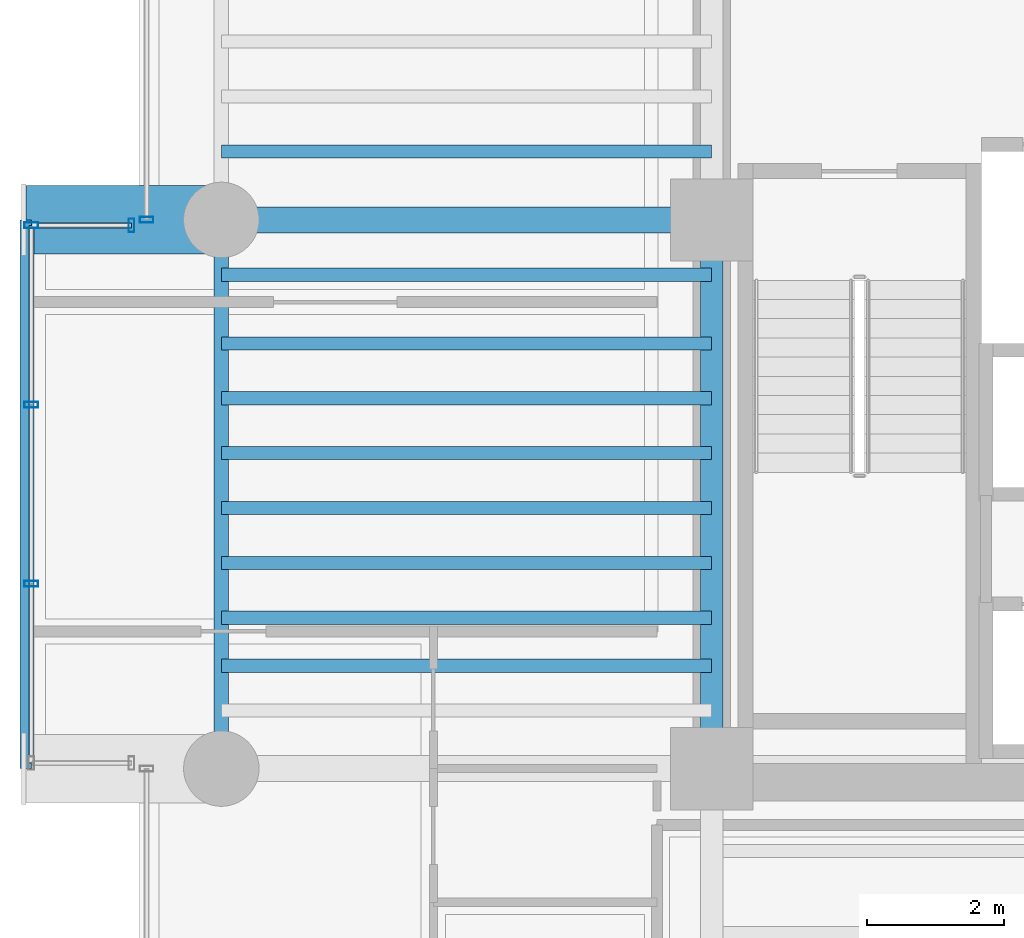
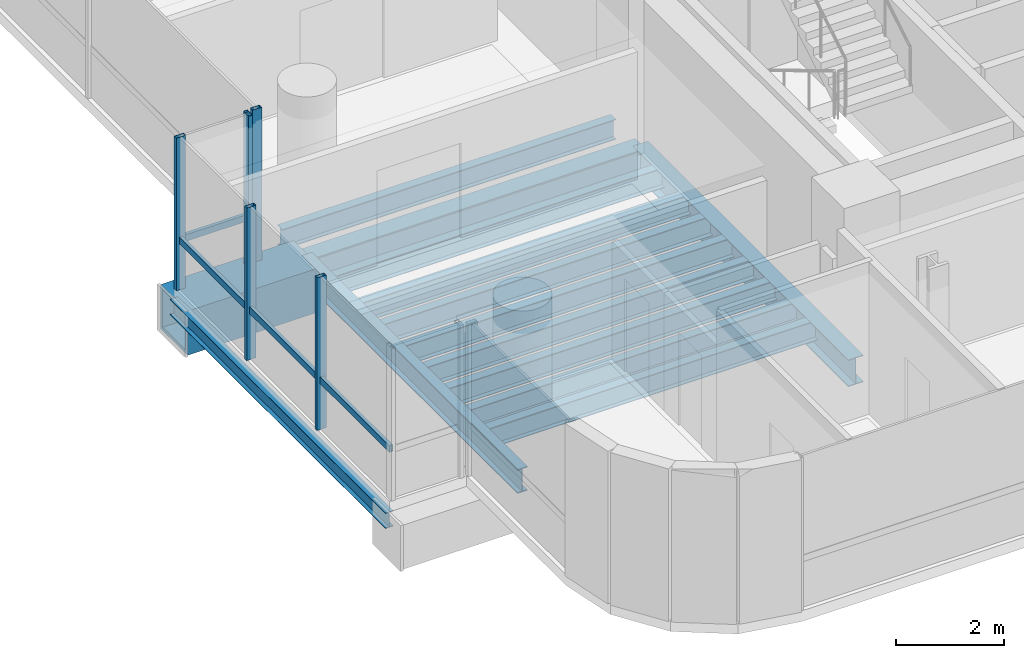
# One storey, part 4 of 34: 14 beams, 7 members, 3 elements without a shape of their own.
"""IFC4 building model written with IfcOpenShell, lengths in metres."""

from ifc_helpers import new_model, si_unit, direction, frame, origin, origin_2d, place, context, subcontext, project, spatial, hollow_rectangle, i_section, extrude, source, transform, mapped, material, material_profile, profile_set, type_object, element, aggregate, save


model = new_model("IFC4")

# Units and contexts
model_context = context("Model", 3, precision=1e-05, world=origin(), true_north=direction((0.0, 1.0)))
body_context = subcontext(model_context, "Body", "Model", "MODEL_VIEW")
ifc_project = project(units=[si_unit("LENGTHUNIT", "METRE"), si_unit("AREAUNIT", "SQUARE_METRE"), si_unit("VOLUMEUNIT", "CUBIC_METRE"), si_unit("PLANEANGLEUNIT", "RADIAN"), si_unit("MASSUNIT", "GRAM", prefix="KILO")], contexts=[model_context])

# Site, building, storey
site_placement = place(None, origin())
site = spatial("IfcSite", under=ifc_project, at=site_placement, CompositionType="ELEMENT")
building_placement = place(site_placement, origin())
building = spatial("IfcBuilding", under=site, at=building_placement, Name="Valdorenza Pilgrim Sanctuary Tower", CompositionType="ELEMENT")
storey_placement = place(building_placement, frame((0.0, 0.0, 164.89990234375)))
storey = spatial("IfcBuildingStorey", under=building, at=storey_placement, Name="L42", CompositionType="ELEMENT", Elevation=164.89990234375)

# Beams
ifc_material_1 = material(Name="Steel ASTM A992 Grade 50", Category="steel")
ifc_material_profile_1 = material_profile(ifc_material_1, i_section(OverallWidth=0.214111328125, OverallDepth=0.549072265625, WebThickness=0.0146484375, FlangeThickness=0.023681640625, at=origin_2d()), Name="W21X93")
ifc_profile_set_1 = profile_set([ifc_material_profile_1], Name="Steel ASTM A992 Grade 50")
beam_type_1 = type_object("IfcBeamType", Name="STR-BM-SPN-W21A", PredefinedType="SPANDREL", material=ifc_profile_set_1)
shared_shape_1 = source(origin(), body_context, "Body", "SweptSolid", [
    extrude(i_section(OverallWidth=0.214111328125, OverallDepth=0.549072265625, WebThickness=0.0146484375, FlangeThickness=0.023681640625, at=origin_2d()), origin(), (0.0, 0.0, 1.0), 8.0),
])
beam_1_placement = place(storey_placement, frame((-29.800048828125, -10.60009765625, -0.514404296875), z_axis=(0.0, 1.0, 0.0), x_axis=(-1.0, 0.0, 0.0)))
element("IfcBeam", 1, at=beam_1_placement, inside=storey, type_object=beam_type_1, Name="L42 Spandrel Beam WA-W-S1M0", PredefinedType="SPANDREL", context=body_context, shape_type="MappedRepresentation", body=[
    mapped(shared_shape_1, transform((0.0, 0.0, 0.0), x_axis=(1.0, 0.0, 0.0), y_axis=(0.0, 1.0, 0.0), z_axis=(0.0, 0.0, 1.0), scale=1.0)),
])
ifc_material_profile_2 = material_profile(ifc_material_1, i_section(OverallWidth=0.323974609375, OverallDepth=0.611083984375, WebThickness=0.0126953125, FlangeThickness=0.01904296875, at=origin_2d()), Name="W24X104")
ifc_profile_set_2 = profile_set([ifc_material_profile_2], Name="Steel ASTM A992 Grade 50")
beam_type_2 = type_object("IfcBeamType", Name="STR-BM-GRD-W24B", PredefinedType="BEAM", material=ifc_profile_set_2)
shared_shape_2 = source(origin(), body_context, "Body", "SweptSolid", [
    extrude(i_section(OverallWidth=0.323974609375, OverallDepth=0.611083984375, WebThickness=0.0126953125, FlangeThickness=0.01904296875, at=origin_2d()), origin(), (0.0, 0.0, 1.0), 8.0),
])
beam_2_placement = place(storey_placement, frame((-22.64990234375, -10.60009765625, -0.54541015625), z_axis=(0.0, 1.0, 0.0), x_axis=(-1.0, 0.0, 0.0)))
element("IfcBeam", 2, at=beam_2_placement, inside=storey, type_object=beam_type_2, Name="L42 Core Tie Girder CA-W-S1M0", PredefinedType="BEAM", context=body_context, shape_type="MappedRepresentation", body=[
    mapped(shared_shape_2, transform((0.0, 0.0, 0.0), x_axis=(1.0, 0.0, 0.0), y_axis=(0.0, 1.0, 0.0), z_axis=(0.0, 0.0, 1.0), scale=1.0)),
])
ifc_material_profile_3 = material_profile(ifc_material_1, i_section(OverallWidth=0.1708984375, OverallDepth=0.35107421875, WebThickness=0.0068359375, FlangeThickness=0.009765625, at=origin_2d()), Name="W14X30")
ifc_profile_set_3 = profile_set([ifc_material_profile_3], Name="Steel ASTM A992 Grade 50")
beam_type_3 = type_object("IfcBeamType", Name="STR-BM-BOX-W14", PredefinedType="BEAM", material=ifc_profile_set_3)
shared_shape_3 = source(origin(), body_context, "Body", "SweptSolid", [
    extrude(i_section(OverallWidth=0.1708984375, OverallDepth=0.35107421875, WebThickness=0.0068359375, FlangeThickness=0.009765625, at=origin_2d()), origin(), (0.0, 0.0, 1.0), 8.0),
])
beam_3_placement = place(storey_placement, frame((-32.64990234375, -10.60009765625, -0.415283203125), z_axis=(0.0, 1.0, 0.0), x_axis=(-1.0, 0.0, 0.0)))
element("IfcBeam", 3, at=beam_3_placement, inside=storey, type_object=beam_type_3, Name="L42 Glass Box Edge Beam BOX-WA-L42-F", PredefinedType="BEAM", context=body_context, shape_type="MappedRepresentation", body=[
    mapped(shared_shape_3, transform((0.0, 0.0, 0.0), x_axis=(1.0, 0.0, 0.0), y_axis=(0.0, 1.0, 0.0), z_axis=(0.0, 0.0, 1.0), scale=1.0)),
])
ifc_material_profile_4 = material_profile(ifc_material_1, i_section(OverallWidth=0.382080078125, OverallDepth=0.779052734375, WebThickness=0.01806640625, FlangeThickness=0.030029296875, at=origin_2d()), Name="W30X191")
ifc_profile_set_4 = profile_set([ifc_material_profile_4], Name="Steel ASTM A992 Grade 50")
beam_type_4 = type_object("IfcBeamType", Name="STR-BM-GRD-W30", PredefinedType="BEAM", material=ifc_profile_set_4)
shared_shape_4 = source(origin(), body_context, "Body", "SweptSolid", [
    extrude(i_section(OverallWidth=0.382080078125, OverallDepth=0.779052734375, WebThickness=0.01806640625, FlangeThickness=0.030029296875, at=origin_2d()), origin(), (0.0, 0.0, 1.0), 7.150146484375),
])
beam_4_placement = place(storey_placement, frame((-29.800048828125, -2.60009765625, -0.62939453125), z_axis=(1.0, 0.0, 0.0), x_axis=(0.0, 1.0, 0.0)))
element("IfcBeam", 4, at=beam_4_placement, inside=storey, type_object=beam_type_4, Name="L42 Floor Girder WA-XW-M0", PredefinedType="BEAM", context=body_context, shape_type="MappedRepresentation", body=[
    mapped(shared_shape_4, transform((0.0, 0.0, 0.0), x_axis=(1.0, 0.0, 0.0), y_axis=(0.0, 1.0, 0.0), z_axis=(0.0, 0.0, 1.0), scale=1.0)),
])
ifc_material_profile_5 = material_profile(ifc_material_1, i_section(OverallWidth=0.19091796875, OverallDepth=0.45703125, WebThickness=0.009033203125, FlangeThickness=0.014404296875, at=origin_2d()), Name="W18X50")
ifc_profile_set_5 = profile_set([ifc_material_profile_5], Name="Steel ASTM A992 Grade 50")
beam_type_5 = type_object("IfcBeamType", Name="STR-BM-JST-W18B", PredefinedType="JOIST", material=ifc_profile_set_5)
shared_shape_5 = source(origin(), body_context, "Body", "SweptSolid", [
    extrude(i_section(OverallWidth=0.19091796875, OverallDepth=0.45703125, WebThickness=0.009033203125, FlangeThickness=0.014404296875, at=origin_2d()), origin(), (0.0, 0.0, 1.0), 7.150146484375),
])
for number, where, z_axis, x_axis, name in (
    (5, (-29.800048828125, -9.10009765625, -0.468505859375), (1.0, 0.0, 0.0), (0.0, 1.0, 0.0), "L42 Composite Floor Joist JST-WA-2"),
    (6, (-29.800048828125, -8.39990234375, -0.468505859375), (1.0, 0.0, 0.0), (0.0, 1.0, 0.0), "L42 Composite Floor Joist JST-WA-3"),
    (7, (-29.800048828125, -7.60009765625, -0.468505859375), (1.0, 0.0, 0.0), (0.0, 1.0, 0.0), "L42 Composite Floor Joist JST-WA-4"),
    (8, (-29.800048828125, -6.800048828125, -0.468505859375), (1.0, 0.0, 0.0), (0.0, 1.0, 0.0), "L42 Composite Floor Joist JST-WA-5"),
    (9, (-29.800048828125, -6.0, -0.468505859375), (1.0, 0.0, 0.0), (0.0, 1.0, 0.0), "L42 Composite Floor Joist JST-WA-6"),
    (10, (-29.800048828125, -5.199951171875, -0.468505859375), (1.0, 0.0, 0.0), (0.0, 1.0, 0.0), "L42 Composite Floor Joist JST-WA-7"),
    (11, (-29.800048828125, -4.39990234375, -0.468505859375), (1.0, 0.0, 0.0), (0.0, 1.0, 0.0), "L42 Composite Floor Joist JST-WA-8"),
    (12, (-29.800048828125, -3.39990234375, -0.468505859375), (1.0, 0.0, 0.0), (0.0, 1.0, 0.0), "L42 Composite Floor Joist JST-WA-9"),
    (13, (-29.800048828125, -1.60009765625, -0.468505859375), (1.0, 0.0, 0.0), (0.0, 1.0, 0.0), "L42 Composite Floor Joist JST-WA-10"),
):
    element("IfcBeam", number, at=place(storey_placement, frame(where, z_axis=z_axis, x_axis=x_axis)), inside=storey, type_object=beam_type_5, Name=name, PredefinedType="JOIST", context=body_context, shape_type="MappedRepresentation", body=[
        mapped(shared_shape_5, transform((0.0, 0.0, 0.0), x_axis=(1.0, 0.0, 0.0), y_axis=(0.0, 1.0, 0.0), z_axis=(0.0, 0.0, 1.0), scale=1.0)),
    ])
ifc_material_2 = material(Name="Steel ASTM A572 Grade 42", Category="steel")
ifc_material_profile_6 = material_profile(ifc_material_2, hollow_rectangle(XDim=1.0, YDim=1.0, WallThickness=0.080078125, at=origin_2d()), Name="BOX 1000x1000x80")
ifc_profile_set_6 = profile_set([ifc_material_profile_6], Name="Steel ASTM A572 Grade 42")
beam_type_6 = type_object("IfcBeamType", Name="STR-BM-PROW-CANT", PredefinedType="BEAM", material=ifc_profile_set_6)
shared_shape_6 = source(origin(), body_context, "Body", "SweptSolid", [
    extrude(hollow_rectangle(XDim=1.0, YDim=1.0, WallThickness=0.080078125, at=origin_2d()), origin(), (0.0, 0.0, 1.0), 2.849853515625),
])
beam_5_placement = place(storey_placement, frame((-29.800048828125, -2.60009765625, -0.739990234375), z_axis=(-1.0, 0.0, 0.0), x_axis=(0.0, -1.0, 0.0)))
element("IfcBeam", 14, at=beam_5_placement, inside=storey, type_object=beam_type_6, Name="L42 Glass Box Cantilever Beam BOX-WA-L42-CT-N", PredefinedType="BEAM", context=body_context, shape_type="MappedRepresentation", body=[
    mapped(shared_shape_6, transform((0.0, 0.0, 0.0), x_axis=(1.0, 0.0, 0.0), y_axis=(0.0, 1.0, 0.0), z_axis=(0.0, 0.0, 1.0), scale=1.0)),
])

# Curtain wall, member
ifc_material_3 = material(Name="Curtain-wall IGU glazing", Category="glass")
curtain_wall_type = type_object("IfcCurtainWallType", Name="CW-SYS-02", PredefinedType="NOTDEFINED", material=ifc_material_3)
curtain_wall_1_placement = place(storey_placement, origin())
curtain_wall_1 = element("IfcCurtainWall", 15, at=curtain_wall_1_placement, inside=storey, type_object=curtain_wall_type, Name="L42 Curtain Wall CW-L42-BOX-WA-L42-N", PredefinedType="NOTDEFINED")
ifc_material_4 = material(Name="Anodised aluminium AW-6060", Category="aluminium")
ifc_material_profile_7 = material_profile(ifc_material_4, hollow_rectangle(XDim=0.074951171875, YDim=0.14990234375, WallThickness=0.00390625, at=origin_2d()), Name="ALU-T 150x75x4")
ifc_profile_set_7 = profile_set([ifc_material_profile_7], Name="Anodised aluminium AW-6060")
member_type_1 = type_object("IfcMemberType", Name="CW-TRN-02", PredefinedType="USERDEFINED", material=ifc_profile_set_7)
shared_shape_7 = source(origin(), body_context, "Body", "SweptSolid", [
    extrude(hollow_rectangle(XDim=0.074951171875, YDim=0.14990234375, WallThickness=0.00390625, at=origin_2d()), origin(), (0.0, 0.0, 1.0), 1.4599609375),
])
member_1_placement = place(storey_placement, frame((-32.570068359375, -2.679931640625, 1.1201171875), z_axis=(1.0, 0.0, 0.0), x_axis=(0.0, 1.0, 0.0)))
member_1 = element("IfcMember", 16, at=member_1_placement, type_object=member_type_1, Name="CW-L42-BOX-WA-L42-N Transom 1", ObjectType="TRANSOM", PredefinedType="USERDEFINED", context=body_context, shape_type="MappedRepresentation", body=[
    mapped(shared_shape_7, transform((0.0, 0.0, 0.0), x_axis=(1.0, 0.0, 0.0), y_axis=(0.0, 1.0, 0.0), z_axis=(0.0, 0.0, 1.0), scale=1.0)),
])

curtain_wall_2_placement = place(storey_placement, origin())
curtain_wall_2 = element("IfcCurtainWall", 17, at=curtain_wall_2_placement, inside=storey, type_object=curtain_wall_type, Name="L42 Curtain Wall CW-L42-BOX-WA-L42-F", PredefinedType="NOTDEFINED")
shared_shape_8 = source(origin(), body_context, "Body", "SweptSolid", [
    extrude(hollow_rectangle(XDim=0.074951171875, YDim=0.14990234375, WallThickness=0.00390625, at=origin_2d()), origin(), (0.0, 0.0, 1.0), 7.840087890625),
])
member_2_placement = place(storey_placement, frame((-32.570068359375, -10.52001953125, 1.1201171875), z_axis=(0.0, 1.0, 0.0), x_axis=(-1.0, 0.0, 0.0)))
member_2 = element("IfcMember", 18, at=member_2_placement, type_object=member_type_1, Name="CW-L42-BOX-WA-L42-F Transom 1", ObjectType="TRANSOM", PredefinedType="USERDEFINED", context=body_context, shape_type="MappedRepresentation", body=[
    mapped(shared_shape_8, transform((0.0, 0.0, 0.0), x_axis=(1.0, 0.0, 0.0), y_axis=(0.0, 1.0, 0.0), z_axis=(0.0, 0.0, 1.0), scale=1.0)),
])

curtain_wall_3_placement = place(storey_placement, origin())
curtain_wall_3 = element("IfcCurtainWall", 19, at=curtain_wall_3_placement, inside=storey, type_object=curtain_wall_type, Name="L42 Curtain Wall CW-L42-1-1S2", PredefinedType="NOTDEFINED")
ifc_material_profile_8 = material_profile(ifc_material_4, hollow_rectangle(XDim=0.0849609375, YDim=0.199951171875, WallThickness=0.0048828125, at=origin_2d()), Name="ALU-M 200x85x5")
ifc_profile_set_8 = profile_set([ifc_material_profile_8], Name="Anodised aluminium AW-6060")
member_type_2 = type_object("IfcMemberType", Name="CW-MUL-02", PredefinedType="MULLION", material=ifc_profile_set_8)
shared_shape_9 = source(origin(), body_context, "Body", "SweptSolid", [
    extrude(hollow_rectangle(XDim=0.0849609375, YDim=0.199951171875, WallThickness=0.0048828125, at=origin_2d()), origin(), (0.0, 0.0, 1.0), 3.460205078125),
])
member_3_placement = place(storey_placement, frame((-30.889892578125, -2.60009765625, 0.0), z_axis=(0.0, 0.0, 1.0), x_axis=(0.0, 1.0, 0.0)))
member_3 = element("IfcMember", 20, at=member_3_placement, type_object=member_type_2, Name="CW-L42-1-1S2 Mullion 1", PredefinedType="MULLION", context=body_context, shape_type="MappedRepresentation", body=[
    mapped(shared_shape_9, transform((0.0, 0.0, 0.0), x_axis=(1.0, 0.0, 0.0), y_axis=(0.0, 1.0, 0.0), z_axis=(0.0, 0.0, 1.0), scale=1.0)),
])
aggregate(curtain_wall_3, [member_3])

# Member
member_4_placement = place(storey_placement, frame((-32.570068359375, -7.90673828125, 0.0), z_axis=(0.0, 0.0, 1.0), x_axis=(0.0, 1.0, 0.0)))
member_4 = element("IfcMember", 21, at=member_4_placement, type_object=member_type_2, Name="CW-L42-BOX-WA-L42-F Mullion 2", PredefinedType="MULLION", context=body_context, shape_type="MappedRepresentation", body=[
    mapped(shared_shape_9, transform((0.0, 0.0, 0.0), x_axis=(1.0, 0.0, 0.0), y_axis=(0.0, 1.0, 0.0), z_axis=(0.0, 0.0, 1.0), scale=1.0)),
])

member_5_placement = place(storey_placement, frame((-32.570068359375, -5.293212890625, 0.0), z_axis=(0.0, 0.0, 1.0), x_axis=(0.0, 1.0, 0.0)))
member_5 = element("IfcMember", 22, at=member_5_placement, type_object=member_type_2, Name="CW-L42-BOX-WA-L42-F Mullion 3", PredefinedType="MULLION", context=body_context, shape_type="MappedRepresentation", body=[
    mapped(shared_shape_9, transform((0.0, 0.0, 0.0), x_axis=(1.0, 0.0, 0.0), y_axis=(0.0, 1.0, 0.0), z_axis=(0.0, 0.0, 1.0), scale=1.0)),
])

member_6_placement = place(storey_placement, frame((-32.570068359375, -2.679931640625, 0.0), z_axis=(0.0, 0.0, 1.0), x_axis=(0.0, 1.0, 0.0)))
member_6 = element("IfcMember", 23, at=member_6_placement, type_object=member_type_2, Name="CW-L42-BOX-WA-L42-F Mullion 4", PredefinedType="MULLION", context=body_context, shape_type="MappedRepresentation", body=[
    mapped(shared_shape_9, transform((0.0, 0.0, 0.0), x_axis=(1.0, 0.0, 0.0), y_axis=(0.0, 1.0, 0.0), z_axis=(0.0, 0.0, 1.0), scale=1.0)),
])

aggregate(curtain_wall_2, [member_4, member_5, member_6, member_2])

member_7_placement = place(storey_placement, frame((-31.110107421875, -2.679931640625, 0.0), z_axis=(0.0, 0.0, 1.0), x_axis=(1.0, 0.0, 0.0)))
member_7 = element("IfcMember", 24, at=member_7_placement, type_object=member_type_2, Name="CW-L42-BOX-WA-L42-N Mullion 2", PredefinedType="MULLION", context=body_context, shape_type="MappedRepresentation", body=[
    mapped(shared_shape_9, transform((0.0, 0.0, 0.0), x_axis=(1.0, 0.0, 0.0), y_axis=(0.0, 1.0, 0.0), z_axis=(0.0, 0.0, 1.0), scale=1.0)),
])

aggregate(curtain_wall_1, [member_7, member_1])

save(model, "model.ifc")
